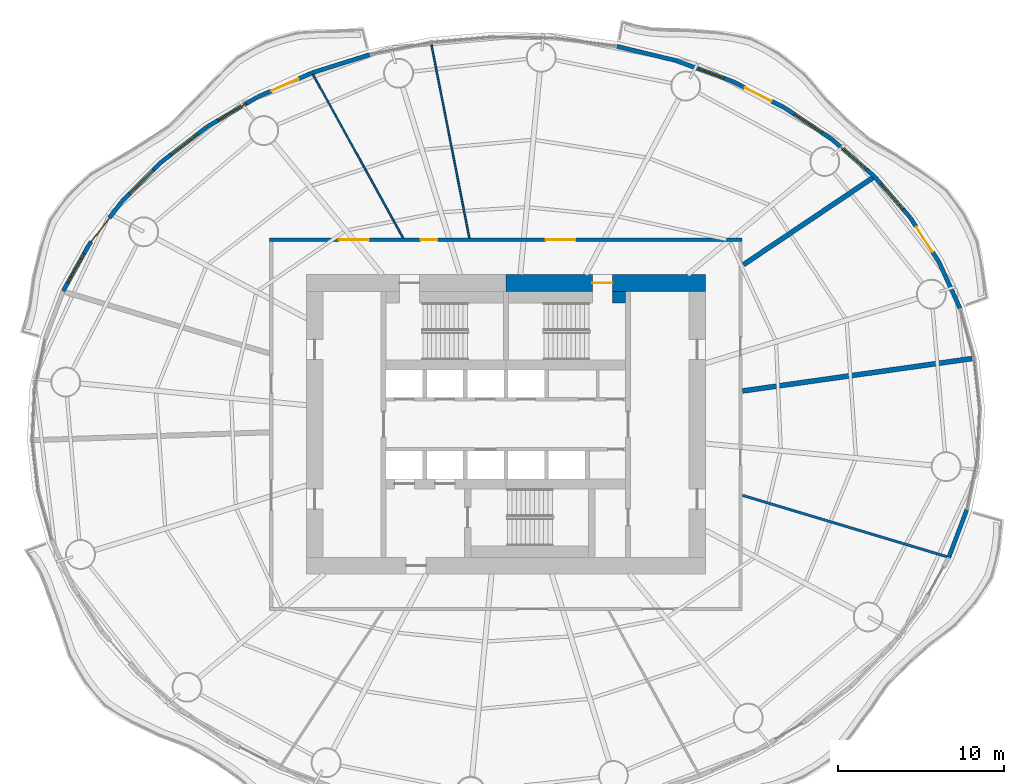
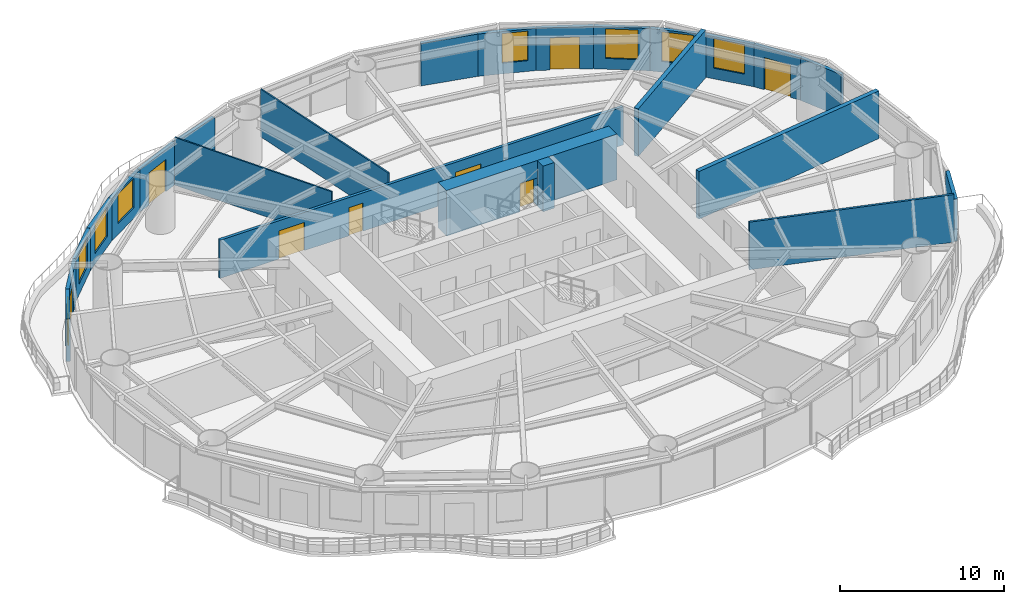
# One storey, part 10 of 16: 24 walls, 8 doors, 8 windows, 16 openings.
"""IFC4 building model written with IfcOpenShell, lengths in metres."""

from ifc_helpers import new_model, si_unit, direction, frame, frame_2d, origin, place, context, subcontext, project, spatial, rectangle, extrude, material, layer, layer_set, type_object, element, fill, save


model = new_model("IFC4")

# Units and contexts
model_context = context("Model", 3, precision=1e-05, world=origin(), true_north=direction((0.0, 1.0)))
body_context = subcontext(model_context, "Body", "Model", "MODEL_VIEW")
ifc_project = project(units=[si_unit("LENGTHUNIT", "METRE"), si_unit("AREAUNIT", "SQUARE_METRE"), si_unit("VOLUMEUNIT", "CUBIC_METRE"), si_unit("PLANEANGLEUNIT", "RADIAN"), si_unit("MASSUNIT", "GRAM", prefix="KILO")], contexts=[model_context])

# Site, building, storey
site_placement = place(None, origin())
site = spatial("IfcSite", under=ifc_project, at=site_placement, CompositionType="ELEMENT")
building_placement = place(site_placement, origin())
building = spatial("IfcBuilding", under=site, at=building_placement, Name="Vermilion Reach Broadcast Tower", CompositionType="ELEMENT")
storey_placement = place(building_placement, frame((0.0, 0.0, 43.39990234375)))
storey = spatial("IfcBuildingStorey", under=building, at=storey_placement, Name="L07", CompositionType="ELEMENT", Elevation=43.39990234375)

# Wall, opening, door
ifc_material_1 = material(Name="Concrete C70", Category="concrete")
ifc_layer_1 = layer(ifc_material_1, 1.0)
ifc_layer_set_1 = layer_set([ifc_layer_1], Name="Core outer wall 1000 mm Concrete C70")
wall_type_1 = type_object("IfcWallType", Name="Core outer wall 1000 mm Concrete C70", PredefinedType="SHEAR", material=ifc_layer_set_1)
wall_1_placement = place(storey_placement, frame((6.0, 8.5, 0.0), z_axis=(0.0, 0.0, 1.0), x_axis=(-1.0, 0.0, 0.0)))
wall_1 = element("IfcWall", 1, at=wall_1_placement, inside=storey, type_object=wall_type_1, Name="L07 core wall onE", PredefinedType="SHEAR", context=body_context, shape_type="SweptSolid", body=[
    extrude(rectangle(XDim=12.0, YDim=1.0, at=frame_2d((6.0, 0.0))), origin(), (0.0, 0.0, 1.0), 3.400146484375),
])
opening_1_placement = place(wall_1_placement, frame((5.60009765625, 0.0, 0.0)))
opening_1 = element("IfcOpeningElement", 2, at=opening_1_placement, cuts=wall_1, Name="Opening D01", PredefinedType="OPENING", context=body_context, shape_type="SweptSolid", body=[
    extrude(rectangle(XDim=1.199951171875, YDim=2.10009765625, at=frame_2d((0.60009765625, 1.050048828125))), frame((0.0, 0.510009765625, 0.0), z_axis=(0.0, -1.0, 0.0), x_axis=(1.0, 0.0, 0.0)), (0.0, 0.0, 1.0), 1.02001953125),
])
ifc_material_2 = material(Name="Painted steel fire door", Category="steel")
door_type_1 = type_object("IfcDoorType", Name="Stair door 1200 x 2100", OperationType="DOUBLE_DOOR_SINGLE_SWING", PredefinedType="NOTDEFINED", material=ifc_material_2)
door_1_placement = place(opening_1_placement, origin())
door_1 = element("IfcDoor", 3, at=door_1_placement, inside=storey, type_object=door_type_1, Name="L07 stair door ST2", OperationType="DOUBLE_DOOR_SINGLE_SWING", OverallHeight=2.10009765625, OverallWidth=1.199951171875, PredefinedType="NOTDEFINED", context=body_context, shape_type="SweptSolid", body=[
    extrude(rectangle(XDim=1.199951171875, YDim=2.10009765625, at=frame_2d((0.60009765625, 1.050048828125))), frame((0.0, 0.02490234375, 0.0), z_axis=(0.0, -1.0, 0.0), x_axis=(1.0, 0.0, 0.0)), (0.0, 0.0, 1.0), 0.050048828125),
])
fill(opening_1, door_1)

# Walls
ifc_material_3 = material(Name="Concrete C70", Category="concrete")
ifc_layer_2 = layer(ifc_material_3, 0.699951171875)
ifc_layer_set_2 = layer_set([ifc_layer_2], Name="Core stair wall 700 mm Concrete C70")
wall_type_2 = type_object("IfcWallType", Name="Core stair wall 700 mm Concrete C70", PredefinedType="SHEAR", material=ifc_layer_set_2)
wall_2_placement = place(storey_placement, frame((0.39990234375, 7.64990234375, 0.0), z_axis=(0.0, 0.0, 1.0), x_axis=(1.0, 0.0, 0.0)))
element("IfcWall", 4, at=wall_2_placement, inside=storey, type_object=wall_type_2, Name="L07 core wall l2b", PredefinedType="SHEAR", context=body_context, shape_type="SweptSolid", body=[
    extrude(rectangle(XDim=0.800048828125, YDim=0.699951171875, at=frame_2d((0.39990234375, 0.0))), origin(), (0.0, 0.0, 1.0), 3.400146484375),
])
ifc_material_4 = material(Name="Plasterboard on steel stud", Category="steel")
ifc_layer_3 = layer(ifc_material_4, 0.10009765625)
ifc_layer_set_3 = layer_set([ifc_layer_3], Name="Partition 100 steel stud")
wall_type_3 = type_object("IfcWallType", Name="Partition 100 steel stud", PredefinedType="PARTITIONING", material=ifc_layer_set_3)
wall_3_placement = place(storey_placement, frame((-10.48095703125, 22.83642578125, 0.0), z_axis=(0.0, 0.0, 1.0), x_axis=(0.192556468162, -0.981285894411, 0.0)))
element("IfcWall", 5, at=wall_3_placement, inside=storey, type_object=wall_type_3, Name="Partition 7.03", PredefinedType="PARTITIONING", context=body_context, shape_type="SweptSolid", body=[
    extrude(rectangle(XDim=11.848388671875, YDim=0.10009765625, at=frame_2d((5.92431640625, 0.0))), origin(), (0.0, 0.0, 1.0), 3.550048828125),
])
wall_4_placement = place(storey_placement, frame((-17.5947265625, 21.022705078125, 0.0), z_axis=(0.0, 0.0, 1.0), x_axis=(0.482952757362, -0.875646409321, 0.0)))
element("IfcWall", 6, at=wall_4_placement, inside=storey, type_object=wall_type_3, Name="Partition 7.04", PredefinedType="PARTITIONING", context=body_context, shape_type="SweptSolid", body=[
    extrude(rectangle(XDim=11.190185546875, YDim=0.10009765625, at=frame_2d((5.59521484375, 0.0))), origin(), (0.0, 0.0, 1.0), 3.550048828125),
])
ifc_material_5 = material(Name="Lightweight concrete block, plastered", Category="concrete")
ifc_layer_4 = layer(ifc_material_5, 0.14990234375)
ifc_layer_set_4 = layer_set([ifc_layer_4], Name="Partition 150 lightweight block")
wall_type_4 = type_object("IfcWallType", Name="Partition 150 lightweight block", PredefinedType="PARTITIONING", material=ifc_layer_set_4)
wall_5_placement = place(storey_placement, frame((20.5078125, -7.955322265625, 0.0), z_axis=(0.0, 0.0, 1.0), x_axis=(-0.957795897573, 0.287449158275, 0.0)))
element("IfcWall", 7, at=wall_5_placement, inside=storey, type_object=wall_type_4, Name="Partition 7.09", PredefinedType="PARTITIONING", context=body_context, shape_type="SweptSolid", body=[
    extrude(rectangle(XDim=12.827392578125, YDim=0.14990234375, at=frame_2d((6.41357421875, 0.0))), origin(), (0.0, 0.0, 1.0), 3.550048828125),
])
ifc_material_6 = material(Name="Double-leaf plasterboard on isolated steel stud", Category="steel")
ifc_layer_5 = layer(ifc_material_6, 0.300048828125)
ifc_layer_set_5 = layer_set([ifc_layer_5], Name="Partition 300 acoustic double leaf")
wall_type_5 = type_object("IfcWallType", Name="Partition 300 acoustic double leaf", PredefinedType="PARTITIONING", material=ifc_layer_set_5)
wall_6_placement = place(storey_placement, frame((22.014892578125, 3.95361328125, 0.0), z_axis=(0.0, 0.0, 1.0), x_axis=(-0.990187126377, -0.139747825588, 0.0)))
element("IfcWall", 8, at=wall_6_placement, inside=storey, type_object=wall_type_5, Name="Partition 7.01", PredefinedType="PARTITIONING", context=body_context, shape_type="SweptSolid", body=[
    extrude(rectangle(XDim=13.9306640625, YDim=0.300048828125, at=frame_2d((6.96533203125, 0.0))), origin(), (0.0, 0.0, 1.0), 3.550048828125),
])
wall_7_placement = place(storey_placement, frame((16.05224609375, 14.822265625, 0.0), z_axis=(0.0, 0.0, 1.0), x_axis=(-0.829941674659, -0.557850174029, 0.0)))
element("IfcWall", 9, at=wall_7_placement, inside=storey, type_object=wall_type_5, Name="Partition 7.02", PredefinedType="PARTITIONING", context=body_context, shape_type="SweptSolid", body=[
    extrude(rectangle(XDim=9.3603515625, YDim=0.300048828125, at=frame_2d((4.68017578125, 0.0))), origin(), (0.0, 0.0, 1.0), 3.550048828125),
])
ifc_material_7 = material(Name="Terracotta rainscreen cladding", Category="masonry")
ifc_layer_6 = layer(ifc_material_7, 0.25)
ifc_layer_set_6 = layer_set([ifc_layer_6], Name="Terracotta rainscreen wall 250")
wall_type_6 = type_object("IfcWallType", Name="Terracotta rainscreen wall 250", PredefinedType="SOLIDWALL", material=ifc_layer_set_6)
wall_8_placement = place(storey_placement, frame((21.29150390625, 6.9833984375, 0.0), z_axis=(0.0, 0.0, 1.0), x_axis=(-0.413441056797, 0.910530885008, 0.0)))
element("IfcWall", 10, at=wall_8_placement, inside=storey, type_object=wall_type_6, Name="External wall L07 02", PredefinedType="SOLIDWALL", context=body_context, shape_type="SweptSolid", body=[
    extrude(rectangle(XDim=3.050048828125, YDim=0.25, at=frame_2d((1.52490234375, 0.0))), origin(), (0.0, 0.0, 1.0), 3.150146484375),
])

# Wall, opening, door
wall_9_placement = place(storey_placement, frame((20.017822265625, 9.783935546875, 0.0), z_axis=(0.0, 0.0, 1.0), x_axis=(-0.544086790483, 0.839028941349, 0.0)))
wall_9 = element("IfcWall", 11, at=wall_9_placement, inside=storey, type_object=wall_type_6, Name="External wall L07 03", PredefinedType="SOLIDWALL", context=body_context, shape_type="SweptSolid", body=[
    extrude(rectangle(XDim=3.1611328125, YDim=0.25, at=frame_2d((1.58056640625, 0.0))), origin(), (0.0, 0.0, 1.0), 3.150146484375),
])
opening_2_placement = place(wall_9_placement, frame((0.680908203125, 0.0, 0.0)))
opening_2 = element("IfcOpeningElement", 12, at=opening_2_placement, cuts=wall_9, Name="Opening D70", PredefinedType="OPENING", context=body_context, shape_type="SweptSolid", body=[
    extrude(rectangle(XDim=1.800048828125, YDim=2.39990234375, at=frame_2d((0.89990234375, 1.199951171875))), frame((0.0, 0.135009765625, 0.0), z_axis=(0.0, -1.0, 0.0), x_axis=(1.0, 0.0, 0.0)), (0.0, 0.0, 1.0), 0.27001953125),
])
ifc_material_8 = material(Name="Low-e laminated clear glass in aluminium frame", Category="aluminium")
door_type_2 = type_object("IfcDoorType", Name="Balcony sliding door 1800 x 2400", OperationType="DOUBLE_DOOR_SLIDING", PredefinedType="DOOR", material=ifc_material_8)
door_2_placement = place(opening_2_placement, origin())
door_2 = element("IfcDoor", 13, at=door_2_placement, inside=storey, type_object=door_type_2, Name="Balcony door L07 run 01", OperationType="DOUBLE_DOOR_SLIDING", OverallHeight=2.39990234375, OverallWidth=1.800048828125, PredefinedType="DOOR", context=body_context, shape_type="SweptSolid", body=[
    extrude(rectangle(XDim=1.800048828125, YDim=2.39990234375, at=frame_2d((0.89990234375, 1.199951171875))), frame((0.0, 0.02490234375, 0.0), z_axis=(0.0, -1.0, 0.0), x_axis=(1.0, 0.0, 0.0)), (0.0, 0.0, 1.0), 0.050048828125),
])
fill(opening_2, door_2)

# Wall, opening, window
wall_10_placement = place(storey_placement, frame((18.282470703125, 12.456787109375, 0.0), z_axis=(0.0, 0.0, 1.0), x_axis=(-0.657550554533, 0.753410424824, 0.0)))
wall_10 = element("IfcWall", 14, at=wall_10_placement, inside=storey, type_object=wall_type_6, Name="External wall L07 04", PredefinedType="SOLIDWALL", context=body_context, shape_type="SweptSolid", body=[
    extrude(rectangle(XDim=3.24462890625, YDim=0.25, at=frame_2d((1.622314453125, 0.0))), origin(), (0.0, 0.0, 1.0), 3.150146484375),
])
opening_3_placement = place(wall_10_placement, frame((0.622314453125, 0.0, 0.800048828125)))
opening_3 = element("IfcOpeningElement", 15, at=opening_3_placement, cuts=wall_10, Name="Opening W01", PredefinedType="OPENING", context=body_context, shape_type="SweptSolid", body=[
    extrude(rectangle(XDim=2.0, YDim=2.199951171875, at=frame_2d((1.0, 1.10009765625))), frame((0.0, 0.135009765625, 0.0), z_axis=(0.0, -1.0, 0.0), x_axis=(1.0, 0.0, 0.0)), (0.0, 0.0, 1.0), 0.27001953125),
])
ifc_material_9 = material(Name="Low-e laminated clear glass in aluminium frame", Category="aluminium")
window_type_1 = type_object("IfcWindowType", Name="Punched window 2000 x 2200 sill 800", PartitioningType="SINGLE_PANEL", PredefinedType="WINDOW", material=ifc_material_9)
window_1_placement = place(opening_3_placement, origin())
window_1 = element("IfcWindow", 16, at=window_1_placement, inside=storey, type_object=window_type_1, Name="Window L07 04", OverallHeight=2.199951171875, OverallWidth=2.0, PartitioningType="SINGLE_PANEL", PredefinedType="WINDOW", context=body_context, shape_type="SweptSolid", body=[
    extrude(rectangle(XDim=2.0, YDim=2.199951171875, at=frame_2d((1.0, 1.10009765625))), frame((0.0, 0.030029296875, 0.0), z_axis=(0.0, -1.0, 0.0), x_axis=(1.0, 0.0, 0.0)), (0.0, 0.0, 1.0), 0.06005859375),
])
fill(opening_3, window_1)

wall_11_placement = place(storey_placement, frame((16.13134765625, 14.9189453125, 0.0), z_axis=(0.0, 0.0, 1.0), x_axis=(-0.753152288186, 0.657846206039, 0.0)))
wall_11 = element("IfcWall", 17, at=wall_11_placement, inside=storey, type_object=wall_type_6, Name="External wall L07 05", PredefinedType="SOLIDWALL", context=body_context, shape_type="SweptSolid", body=[
    extrude(rectangle(XDim=3.335205078125, YDim=0.25, at=frame_2d((1.66748046875, 0.0))), origin(), (0.0, 0.0, 1.0), 3.150146484375),
])
opening_4_placement = place(wall_11_placement, frame((0.617919921875, 0.0, 0.800048828125)))
opening_4 = element("IfcOpeningElement", 18, at=opening_4_placement, cuts=wall_11, Name="Opening W01", PredefinedType="OPENING", context=body_context, shape_type="SweptSolid", body=[
    extrude(rectangle(XDim=2.0, YDim=2.199951171875, at=frame_2d((1.0, 1.10009765625))), frame((0.0, 0.135009765625, 0.0), z_axis=(0.0, -1.0, 0.0), x_axis=(1.0, 0.0, 0.0)), (0.0, 0.0, 1.0), 0.27001953125),
])
window_2_placement = place(opening_4_placement, origin())
window_2 = element("IfcWindow", 19, at=window_2_placement, inside=storey, type_object=window_type_1, Name="Window L07 05", OverallHeight=2.199951171875, OverallWidth=2.0, PartitioningType="SINGLE_PANEL", PredefinedType="WINDOW", context=body_context, shape_type="SweptSolid", body=[
    extrude(rectangle(XDim=2.0, YDim=2.199951171875, at=frame_2d((1.0, 1.10009765625))), frame((0.0, 0.030029296875, 0.0), z_axis=(0.0, -1.0, 0.0), x_axis=(1.0, 0.0, 0.0)), (0.0, 0.0, 1.0), 0.06005859375),
])
fill(opening_4, window_2)

wall_12_placement = place(storey_placement, frame((13.600341796875, 17.127685546875, 0.0), z_axis=(0.0, 0.0, 1.0), x_axis=(-0.831183264566, 0.555998543798, 0.0)))
wall_12 = element("IfcWall", 20, at=wall_12_placement, inside=storey, type_object=wall_type_6, Name="External wall L07 06", PredefinedType="SOLIDWALL", context=body_context, shape_type="SweptSolid", body=[
    extrude(rectangle(XDim=3.42626953125, YDim=0.25, at=frame_2d((1.713134765625, 0.0))), origin(), (0.0, 0.0, 1.0), 3.150146484375),
])
opening_5_placement = place(wall_12_placement, frame((0.713134765625, 0.0, 0.800048828125)))
opening_5 = element("IfcOpeningElement", 21, at=opening_5_placement, cuts=wall_12, Name="Opening W01", PredefinedType="OPENING", context=body_context, shape_type="SweptSolid", body=[
    extrude(rectangle(XDim=2.0, YDim=2.199951171875, at=frame_2d((1.0, 1.10009765625))), frame((0.0, 0.135009765625, 0.0), z_axis=(0.0, -1.0, 0.0), x_axis=(1.0, 0.0, 0.0)), (0.0, 0.0, 1.0), 0.27001953125),
])
window_3_placement = place(opening_5_placement, origin())
window_3 = element("IfcWindow", 22, at=window_3_placement, inside=storey, type_object=window_type_1, Name="Window L07 06", OverallHeight=2.199951171875, OverallWidth=2.0, PartitioningType="SINGLE_PANEL", PredefinedType="WINDOW", context=body_context, shape_type="SweptSolid", body=[
    extrude(rectangle(XDim=2.0, YDim=2.199951171875, at=frame_2d((1.0, 1.10009765625))), frame((0.0, 0.030029296875, 0.0), z_axis=(0.0, -1.0, 0.0), x_axis=(1.0, 0.0, 0.0)), (0.0, 0.0, 1.0), 0.06005859375),
])
fill(opening_5, window_3)

# Wall, opening, door
wall_13_placement = place(storey_placement, frame((10.732421875, 19.044677734375, 0.0), z_axis=(0.0, 0.0, 1.0), x_axis=(-0.892738680503, 0.450574797712, 0.0)))
wall_13 = element("IfcWall", 23, at=wall_13_placement, inside=storey, type_object=wall_type_6, Name="External wall L07 07", PredefinedType="SOLIDWALL", context=body_context, shape_type="SweptSolid", body=[
    extrude(rectangle(XDim=3.51220703125, YDim=0.25, at=frame_2d((1.756103515625, 0.0))), origin(), (0.0, 0.0, 1.0), 3.150146484375),
])
opening_6_placement = place(wall_13_placement, frame((0.85595703125, 0.0, 0.0)))
opening_6 = element("IfcOpeningElement", 24, at=opening_6_placement, cuts=wall_13, Name="Opening D70", PredefinedType="OPENING", context=body_context, shape_type="SweptSolid", body=[
    extrude(rectangle(XDim=1.800048828125, YDim=2.39990234375, at=frame_2d((0.89990234375, 1.199951171875))), frame((0.0, 0.135009765625, 0.0), z_axis=(0.0, -1.0, 0.0), x_axis=(1.0, 0.0, 0.0)), (0.0, 0.0, 1.0), 0.27001953125),
])
door_3_placement = place(opening_6_placement, origin())
door_3 = element("IfcDoor", 25, at=door_3_placement, inside=storey, type_object=door_type_2, Name="Balcony door L07 run 02", OperationType="DOUBLE_DOOR_SLIDING", OverallHeight=2.39990234375, OverallWidth=1.800048828125, PredefinedType="DOOR", context=body_context, shape_type="SweptSolid", body=[
    extrude(rectangle(XDim=1.800048828125, YDim=2.39990234375, at=frame_2d((0.89990234375, 1.199951171875))), frame((0.0, 0.02490234375, 0.0), z_axis=(0.0, -1.0, 0.0), x_axis=(1.0, 0.0, 0.0)), (0.0, 0.0, 1.0), 0.050048828125),
])
fill(opening_6, door_3)

# Wall, opening, window
wall_14_placement = place(storey_placement, frame((7.576171875, 20.635986328125, 0.0), z_axis=(0.0, 0.0, 1.0), x_axis=(-0.939175868645, 0.343436584766, 0.0)))
wall_14 = element("IfcWall", 26, at=wall_14_placement, inside=storey, type_object=wall_type_6, Name="External wall L07 08", PredefinedType="SOLIDWALL", context=body_context, shape_type="SweptSolid", body=[
    extrude(rectangle(XDim=3.587158203125, YDim=0.25, at=frame_2d((1.79345703125, 0.0))), origin(), (0.0, 0.0, 1.0), 3.150146484375),
])
opening_7_placement = place(wall_14_placement, frame((0.493896484375, 0.0, 0.800048828125)))
opening_7 = element("IfcOpeningElement", 27, at=opening_7_placement, cuts=wall_14, Name="Opening W02", PredefinedType="OPENING", context=body_context, shape_type="SweptSolid", body=[
    extrude(rectangle(XDim=1.60009765625, YDim=2.199951171875, at=frame_2d((0.800048828125, 1.10009765625))), frame((0.0, 0.135009765625, 0.0), z_axis=(0.0, -1.0, 0.0), x_axis=(1.0, 0.0, 0.0)), (0.0, 0.0, 1.0), 0.27001953125),
])
ifc_material_10 = material(Name="Low-e laminated clear glass in aluminium frame", Category="aluminium")
window_type_2 = type_object("IfcWindowType", Name="Punched window 1600 x 2200 sill 800", PartitioningType="SINGLE_PANEL", PredefinedType="WINDOW", material=ifc_material_10)
window_4_placement = place(opening_7_placement, origin())
window_4 = element("IfcWindow", 28, at=window_4_placement, inside=storey, type_object=window_type_2, Name="Window L07 08", OverallHeight=2.199951171875, OverallWidth=1.60009765625, PartitioningType="SINGLE_PANEL", PredefinedType="WINDOW", context=body_context, shape_type="SweptSolid", body=[
    extrude(rectangle(XDim=1.60009765625, YDim=2.199951171875, at=frame_2d((0.800048828125, 1.10009765625))), frame((0.0, 0.030029296875, 0.0), z_axis=(0.0, -1.0, 0.0), x_axis=(1.0, 0.0, 0.0)), (0.0, 0.0, 1.0), 0.06005859375),
])
fill(opening_7, window_4)

# Walls
for number, where, z_axis, x_axis, name in (
    (29, (4.186279296875, 21.874267578125, 0.0), (0.0, 0.0, 1.0), (-0.971867028234, 0.235530209171, 0.0), "External wall L07 09"),
    (30, (-14.191162109375, 22.224365234375, 0.0), (0.0, 0.0, 1.0), (-0.953906738278, -0.300103206694, 0.0), "External wall L07 14"),
):
    element("IfcWall", number, at=place(storey_placement, frame(where, z_axis=z_axis, x_axis=x_axis)), inside=storey, type_object=wall_type_6, Name=name, PredefinedType="SOLIDWALL", context=body_context, shape_type="SweptSolid", body=[
        extrude(rectangle(XDim=3.60302734375, YDim=0.25, at=frame_2d((1.801513671875, 0.0))), origin(), (0.0, 0.0, 1.0), 3.150146484375),
    ])

# Wall, opening, door
wall_15_placement = place(storey_placement, frame((-17.64892578125, 21.13525390625, 0.0), z_axis=(0.0, 0.0, 1.0), x_axis=(-0.914061167201, -0.405576358552, 0.0)))
wall_15 = element("IfcWall", 31, at=wall_15_placement, inside=storey, type_object=wall_type_6, Name="External wall L07 15", PredefinedType="SOLIDWALL", context=body_context, shape_type="SweptSolid", body=[
    extrude(rectangle(XDim=3.587158203125, YDim=0.25, at=frame_2d((1.79345703125, 0.0))), origin(), (0.0, 0.0, 1.0), 3.150146484375),
])
opening_8_placement = place(wall_15_placement, frame((0.89404296875, 0.0, 0.0)))
opening_8 = element("IfcOpeningElement", 32, at=opening_8_placement, cuts=wall_15, Name="Opening D70", PredefinedType="OPENING", context=body_context, shape_type="SweptSolid", body=[
    extrude(rectangle(XDim=1.800048828125, YDim=2.39990234375, at=frame_2d((0.89990234375, 1.199951171875))), frame((0.0, 0.135009765625, 0.0), z_axis=(0.0, -1.0, 0.0), x_axis=(1.0, 0.0, 0.0)), (0.0, 0.0, 1.0), 0.27001953125),
])
door_4_placement = place(opening_8_placement, origin())
door_4 = element("IfcDoor", 33, at=door_4_placement, inside=storey, type_object=door_type_2, Name="Balcony door L07 run 04", OperationType="DOUBLE_DOOR_SLIDING", OverallHeight=2.39990234375, OverallWidth=1.800048828125, PredefinedType="DOOR", context=body_context, shape_type="SweptSolid", body=[
    extrude(rectangle(XDim=1.800048828125, YDim=2.39990234375, at=frame_2d((0.89990234375, 1.199951171875))), frame((0.0, 0.02490234375, 0.0), z_axis=(0.0, -1.0, 0.0), x_axis=(1.0, 0.0, 0.0)), (0.0, 0.0, 1.0), 0.050048828125),
])
fill(opening_8, door_4)

# Wall, opening, window
wall_16_placement = place(storey_placement, frame((-20.947998046875, 19.670166015625, 0.0), z_axis=(0.0, 0.0, 1.0), x_axis=(-0.860556783273, -0.509354515796, 0.0)))
wall_16 = element("IfcWall", 34, at=wall_16_placement, inside=storey, type_object=wall_type_6, Name="External wall L07 16", PredefinedType="SOLIDWALL", context=body_context, shape_type="SweptSolid", body=[
    extrude(rectangle(XDim=3.511962890625, YDim=0.25, at=frame_2d((1.755859375, 0.0))), origin(), (0.0, 0.0, 1.0), 3.150146484375),
])
opening_9_placement = place(wall_16_placement, frame((0.756103515625, 0.0, 0.800048828125)))
opening_9 = element("IfcOpeningElement", 35, at=opening_9_placement, cuts=wall_16, Name="Opening W01", PredefinedType="OPENING", context=body_context, shape_type="SweptSolid", body=[
    extrude(rectangle(XDim=2.0, YDim=2.199951171875, at=frame_2d((1.0, 1.10009765625))), frame((0.0, 0.135009765625, 0.0), z_axis=(0.0, -1.0, 0.0), x_axis=(1.0, 0.0, 0.0)), (0.0, 0.0, 1.0), 0.27001953125),
])
window_5_placement = place(opening_9_placement, origin())
window_5 = element("IfcWindow", 36, at=window_5_placement, inside=storey, type_object=window_type_1, Name="Window L07 16", OverallHeight=2.199951171875, OverallWidth=2.0, PartitioningType="SINGLE_PANEL", PredefinedType="WINDOW", context=body_context, shape_type="SweptSolid", body=[
    extrude(rectangle(XDim=2.0, YDim=2.199951171875, at=frame_2d((1.0, 1.10009765625))), frame((0.0, 0.030029296875, 0.0), z_axis=(0.0, -1.0, 0.0), x_axis=(1.0, 0.0, 0.0)), (0.0, 0.0, 1.0), 0.06005859375),
])
fill(opening_9, window_5)

wall_17_placement = place(storey_placement, frame((-23.989501953125, 17.8681640625, 0.0), z_axis=(0.0, 0.0, 1.0), x_axis=(-0.792064745515, -0.610437088415, 0.0)))
wall_17 = element("IfcWall", 37, at=wall_17_placement, inside=storey, type_object=wall_type_6, Name="External wall L07 17", PredefinedType="SOLIDWALL", context=body_context, shape_type="SweptSolid", body=[
    extrude(rectangle(XDim=3.42626953125, YDim=0.25, at=frame_2d((1.713134765625, 0.0))), origin(), (0.0, 0.0, 1.0), 3.150146484375),
])
opening_10_placement = place(wall_17_placement, frame((0.713134765625, 0.0, 0.800048828125)))
opening_10 = element("IfcOpeningElement", 38, at=opening_10_placement, cuts=wall_17, Name="Opening W01", PredefinedType="OPENING", context=body_context, shape_type="SweptSolid", body=[
    extrude(rectangle(XDim=2.0, YDim=2.199951171875, at=frame_2d((1.0, 1.10009765625))), frame((0.0, 0.135009765625, 0.0), z_axis=(0.0, -1.0, 0.0), x_axis=(1.0, 0.0, 0.0)), (0.0, 0.0, 1.0), 0.27001953125),
])
window_6_placement = place(opening_10_placement, origin())
window_6 = element("IfcWindow", 39, at=window_6_placement, inside=storey, type_object=window_type_1, Name="Window L07 17", OverallHeight=2.199951171875, OverallWidth=2.0, PartitioningType="SINGLE_PANEL", PredefinedType="WINDOW", context=body_context, shape_type="SweptSolid", body=[
    extrude(rectangle(XDim=2.0, YDim=2.199951171875, at=frame_2d((1.0, 1.10009765625))), frame((0.0, 0.030029296875, 0.0), z_axis=(0.0, -1.0, 0.0), x_axis=(1.0, 0.0, 0.0)), (0.0, 0.0, 1.0), 0.06005859375),
])
fill(opening_10, window_6)

wall_18_placement = place(storey_placement, frame((-26.721435546875, 15.7607421875, 0.0), z_axis=(0.0, 0.0, 1.0), x_axis=(-0.707362946123, -0.706850523415, 0.0)))
wall_18 = element("IfcWall", 40, at=wall_18_placement, inside=storey, type_object=wall_type_6, Name="External wall L07 18", PredefinedType="SOLIDWALL", context=body_context, shape_type="SweptSolid", body=[
    extrude(rectangle(XDim=3.335205078125, YDim=0.25, at=frame_2d((1.66748046875, 0.0))), origin(), (0.0, 0.0, 1.0), 3.150146484375),
])
opening_11_placement = place(wall_18_placement, frame((0.667724609375, 0.0, 0.800048828125)))
opening_11 = element("IfcOpeningElement", 41, at=opening_11_placement, cuts=wall_18, Name="Opening W01", PredefinedType="OPENING", context=body_context, shape_type="SweptSolid", body=[
    extrude(rectangle(XDim=2.0, YDim=2.199951171875, at=frame_2d((1.0, 1.10009765625))), frame((0.0, 0.135009765625, 0.0), z_axis=(0.0, -1.0, 0.0), x_axis=(1.0, 0.0, 0.0)), (0.0, 0.0, 1.0), 0.27001953125),
])
window_7_placement = place(opening_11_placement, origin())
window_7 = element("IfcWindow", 42, at=window_7_placement, inside=storey, type_object=window_type_1, Name="Window L07 18", OverallHeight=2.199951171875, OverallWidth=2.0, PartitioningType="SINGLE_PANEL", PredefinedType="WINDOW", context=body_context, shape_type="SweptSolid", body=[
    extrude(rectangle(XDim=2.0, YDim=2.199951171875, at=frame_2d((1.0, 1.10009765625))), frame((0.0, 0.030029296875, 0.0), z_axis=(0.0, -1.0, 0.0), x_axis=(1.0, 0.0, 0.0)), (0.0, 0.0, 1.0), 0.06005859375),
])
fill(opening_11, window_7)

# Wall, opening, door
wall_19_placement = place(storey_placement, frame((-29.09716796875, 13.384521484375, 0.0), z_axis=(0.0, 0.0, 1.0), x_axis=(-0.605655469581, -0.795726996002, 0.0)))
wall_19 = element("IfcWall", 43, at=wall_19_placement, inside=storey, type_object=wall_type_6, Name="External wall L07 19", PredefinedType="SOLIDWALL", context=body_context, shape_type="SweptSolid", body=[
    extrude(rectangle(XDim=3.24462890625, YDim=0.25, at=frame_2d((1.622314453125, 0.0))), origin(), (0.0, 0.0, 1.0), 3.150146484375),
])
opening_12_placement = place(wall_19_placement, frame((1.221923828125, 0.0, 0.0)))
opening_12 = element("IfcOpeningElement", 44, at=opening_12_placement, cuts=wall_19, Name="Opening D70", PredefinedType="OPENING", context=body_context, shape_type="SweptSolid", body=[
    extrude(rectangle(XDim=1.800048828125, YDim=2.39990234375, at=frame_2d((0.89990234375, 1.199951171875))), frame((0.0, 0.135009765625, 0.0), z_axis=(0.0, -1.0, 0.0), x_axis=(1.0, 0.0, 0.0)), (0.0, 0.0, 1.0), 0.27001953125),
])
door_5_placement = place(opening_12_placement, origin())
door_5 = element("IfcDoor", 45, at=door_5_placement, inside=storey, type_object=door_type_2, Name="Balcony door L07 run 05", OperationType="DOUBLE_DOOR_SLIDING", OverallHeight=2.39990234375, OverallWidth=1.800048828125, PredefinedType="DOOR", context=body_context, shape_type="SweptSolid", body=[
    extrude(rectangle(XDim=1.800048828125, YDim=2.39990234375, at=frame_2d((0.89990234375, 1.199951171875))), frame((0.0, 0.02490234375, 0.0), z_axis=(0.0, -1.0, 0.0), x_axis=(1.0, 0.0, 0.0)), (0.0, 0.0, 1.0), 0.050048828125),
])
fill(opening_12, door_5)

# Wall, opening, window
wall_20_placement = place(storey_placement, frame((-31.076171875, 10.781005859375, 0.0), z_axis=(0.0, 0.0, 1.0), x_axis=(-0.486652480259, -0.873595652152, 0.0)))
wall_20 = element("IfcWall", 46, at=wall_20_placement, inside=storey, type_object=wall_type_6, Name="External wall L07 20", PredefinedType="SOLIDWALL", context=body_context, shape_type="SweptSolid", body=[
    extrude(rectangle(XDim=3.1611328125, YDim=0.25, at=frame_2d((1.58056640625, 0.0))), origin(), (0.0, 0.0, 1.0), 3.150146484375),
])
opening_13_placement = place(wall_20_placement, frame((0.58056640625, 0.0, 0.800048828125)))
opening_13 = element("IfcOpeningElement", 47, at=opening_13_placement, cuts=wall_20, Name="Opening W01", PredefinedType="OPENING", context=body_context, shape_type="SweptSolid", body=[
    extrude(rectangle(XDim=2.0, YDim=2.199951171875, at=frame_2d((1.0, 1.10009765625))), frame((0.0, 0.135009765625, 0.0), z_axis=(0.0, -1.0, 0.0), x_axis=(1.0, 0.0, 0.0)), (0.0, 0.0, 1.0), 0.27001953125),
])
window_8_placement = place(opening_13_placement, origin())
window_8 = element("IfcWindow", 48, at=window_8_placement, inside=storey, type_object=window_type_1, Name="Window L07 20", OverallHeight=2.199951171875, OverallWidth=2.0, PartitioningType="SINGLE_PANEL", PredefinedType="WINDOW", context=body_context, shape_type="SweptSolid", body=[
    extrude(rectangle(XDim=2.0, YDim=2.199951171875, at=frame_2d((1.0, 1.10009765625))), frame((0.0, 0.030029296875, 0.0), z_axis=(0.0, -1.0, 0.0), x_axis=(1.0, 0.0, 0.0)), (0.0, 0.0, 1.0), 0.06005859375),
])
fill(opening_13, window_8)

# Wall
wall_21_placement = place(storey_placement, frame((20.625732421875, -7.995361328125, 0.0), z_axis=(0.0, 0.0, 1.0), x_axis=(0.351570793039, 0.936161298859, 0.0)))
element("IfcWall", 49, at=wall_21_placement, inside=storey, type_object=wall_type_6, Name="External wall L07 45", PredefinedType="SOLIDWALL", context=body_context, shape_type="SweptSolid", body=[
    extrude(rectangle(XDim=3.050048828125, YDim=0.25, at=frame_2d((1.52490234375, 0.0))), origin(), (0.0, 0.0, 1.0), 3.150146484375),
])

# Wall, openings, doors
ifc_material_11 = material(Name="Fire-rated gypsum board partition")
ifc_layer_7 = layer(ifc_material_11, 0.199951171875)
ifc_layer_set_7 = layer_set([ifc_layer_7], Name="Under girder: Corridor wall 200 fire-rated")
wall_type_7 = type_object("IfcWallType", Name="Under girder: Corridor wall 200 fire-rated", PredefinedType="PARTITIONING", material=ifc_layer_set_7)
wall_22_placement = place(storey_placement, frame((-20.199951171875, 11.10009765625, 0.0), z_axis=(0.0, 0.0, 1.0), x_axis=(1.0, 0.0, 0.0)))
wall_22 = element("IfcWall", 50, at=wall_22_placement, inside=storey, type_object=wall_type_7, Name="Corridor wall 7.N", PredefinedType="PARTITIONING", context=body_context, shape_type="SweptSolid", body=[
    extrude(rectangle(XDim=28.39990234375, YDim=0.199951171875, at=frame_2d((14.199951171875, 0.0))), origin(), (0.0, 0.0, 1.0), 2.85009765625),
])
opening_14_placement = place(wall_22_placement, frame((16.58154296875, 0.0, 0.0)))
opening_14 = element("IfcOpeningElement", 51, at=opening_14_placement, cuts=wall_22, Name="Opening D21", PredefinedType="OPENING", context=body_context, shape_type="SweptSolid", body=[
    extrude(rectangle(XDim=1.800048828125, YDim=2.10009765625, at=frame_2d((0.89990234375, 1.050048828125))), frame((0.0, 0.10986328125, 0.0), z_axis=(0.0, -1.0, 0.0), x_axis=(1.0, 0.0, 0.0)), (0.0, 0.0, 1.0), 0.219970703125),
])
opening_15_placement = place(wall_22_placement, frame((9.07666015625, 0.0, 0.0)))
opening_15 = element("IfcOpeningElement", 52, at=opening_15_placement, cuts=wall_22, Name="Opening D20", PredefinedType="OPENING", context=body_context, shape_type="SweptSolid", body=[
    extrude(rectangle(XDim=1.0, YDim=2.10009765625, at=frame_2d((0.5, 1.050048828125))), frame((0.0, 0.10986328125, 0.0), z_axis=(0.0, -1.0, 0.0), x_axis=(1.0, 0.0, 0.0)), (0.0, 0.0, 1.0), 0.219970703125),
])
opening_16_placement = place(wall_22_placement, frame((4.156005859375, 0.0, 0.0)))
opening_16 = element("IfcOpeningElement", 53, at=opening_16_placement, cuts=wall_22, Name="Opening D21", PredefinedType="OPENING", context=body_context, shape_type="SweptSolid", body=[
    extrude(rectangle(XDim=1.800048828125, YDim=2.10009765625, at=frame_2d((0.89990234375, 1.050048828125))), frame((0.0, 0.10986328125, 0.0), z_axis=(0.0, -1.0, 0.0), x_axis=(1.0, 0.0, 0.0)), (0.0, 0.0, 1.0), 0.219970703125),
])
ifc_material_12 = material(Name="Timber door leaf", Category="wood")
door_type_3 = type_object("IfcDoorType", Name="Door pair 1800x2100", OperationType="NOTDEFINED", PredefinedType="DOOR", material=ifc_material_12)
door_6_placement = place(opening_14_placement, origin())
door_6 = element("IfcDoor", 54, at=door_6_placement, inside=storey, type_object=door_type_3, Name="Door 7.02", OperationType="DOUBLE_DOOR_SINGLE_SWING", OverallHeight=2.10009765625, OverallWidth=1.800048828125, PredefinedType="DOOR", context=body_context, shape_type="SweptSolid", body=[
    extrude(rectangle(XDim=1.800048828125, YDim=2.10009765625, at=frame_2d((0.89990234375, 1.050048828125))), frame((0.0, 0.02490234375, 0.0), z_axis=(0.0, -1.0, 0.0), x_axis=(1.0, 0.0, 0.0)), (0.0, 0.0, 1.0), 0.050048828125),
])
fill(opening_14, door_6)
door_7_placement = place(opening_16_placement, origin())
door_7 = element("IfcDoor", 55, at=door_7_placement, inside=storey, type_object=door_type_3, Name="Door 7.04", OperationType="DOUBLE_DOOR_SINGLE_SWING", OverallHeight=2.10009765625, OverallWidth=1.800048828125, PredefinedType="DOOR", context=body_context, shape_type="SweptSolid", body=[
    extrude(rectangle(XDim=1.800048828125, YDim=2.10009765625, at=frame_2d((0.89990234375, 1.050048828125))), frame((0.0, 0.02490234375, 0.0), z_axis=(0.0, -1.0, 0.0), x_axis=(1.0, 0.0, 0.0)), (0.0, 0.0, 1.0), 0.050048828125),
])
fill(opening_16, door_7)
ifc_material_13 = material(Name="Timber door leaf", Category="wood")
door_type_4 = type_object("IfcDoorType", Name="Door single 1000x2100", OperationType="NOTDEFINED", PredefinedType="DOOR", material=ifc_material_13)
door_8_placement = place(opening_15_placement, origin())
door_8 = element("IfcDoor", 56, at=door_8_placement, inside=storey, type_object=door_type_4, Name="Door 7.03", OperationType="SINGLE_SWING_LEFT", OverallHeight=2.10009765625, OverallWidth=1.0, PredefinedType="DOOR", context=body_context, shape_type="SweptSolid", body=[
    extrude(rectangle(XDim=1.0, YDim=2.10009765625, at=frame_2d((0.5, 1.050048828125))), frame((0.0, 0.02490234375, 0.0), z_axis=(0.0, -1.0, 0.0), x_axis=(1.0, 0.0, 0.0)), (0.0, 0.0, 1.0), 0.050048828125),
])
fill(opening_15, door_8)

save(model, "model.ifc")
